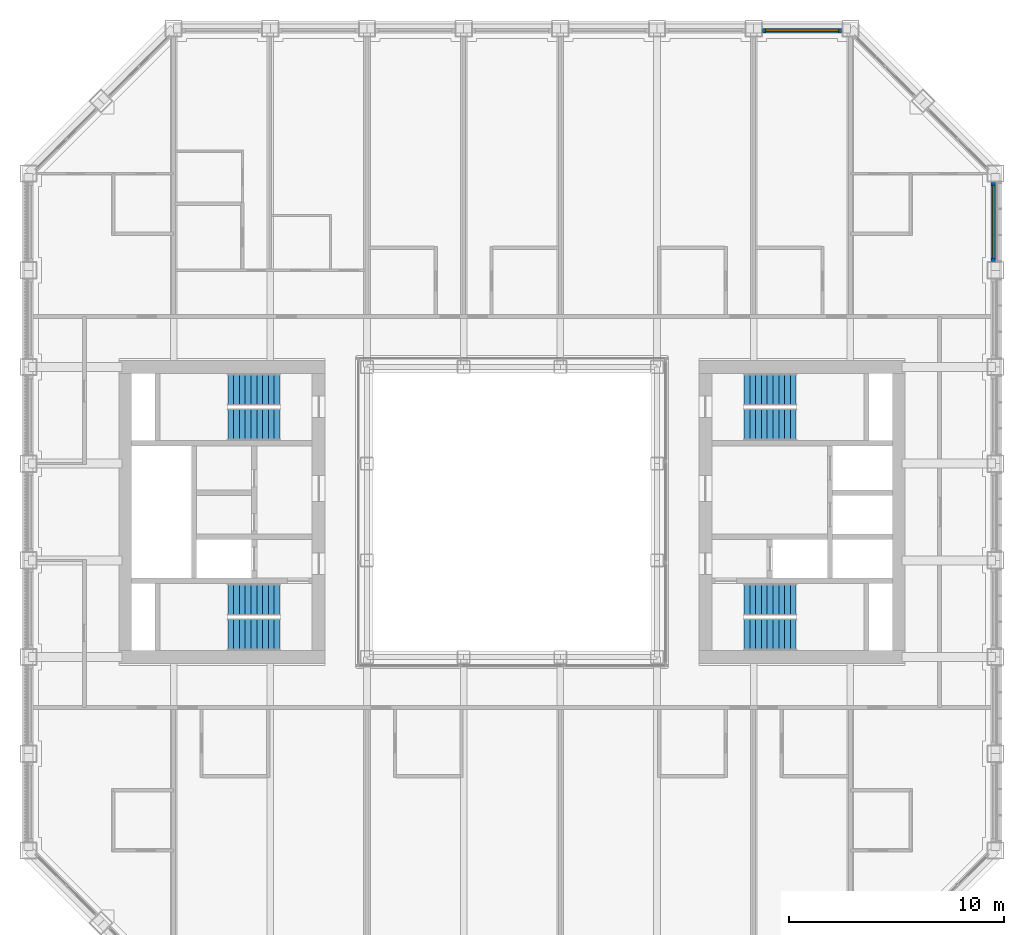
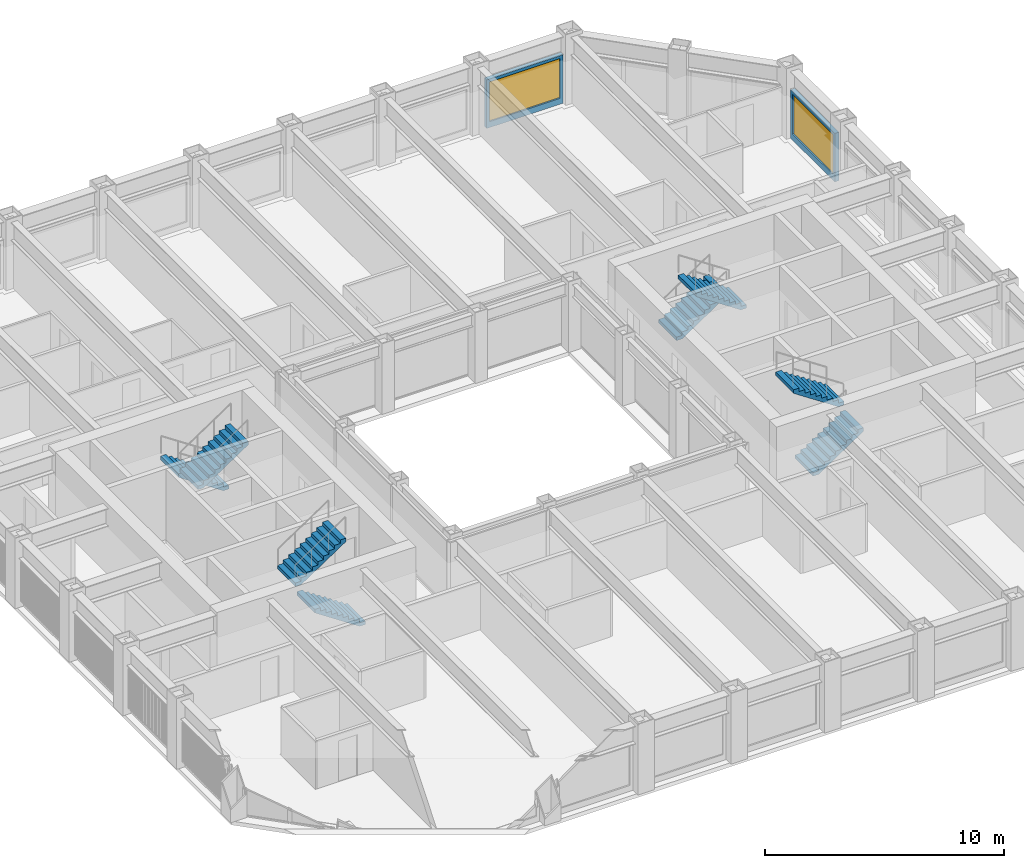
# One storey, part 14 of 17: 8 stair flights, 2 walls, 2 windows, 2 openings, 4 elements without a shape of their own.
"""IFC4 building model written with IfcOpenShell, lengths in metres."""

from ifc_helpers import new_model, si_unit, direction, frame, frame_2d, origin, place, context, subcontext, project, spatial, polyline, rectangle, outline, extrude, material, layer, layer_set, type_object, element, fill, aggregate, save


model = new_model("IFC4")

# Units and contexts
model_context = context("Model", 3, precision=1e-05, world=origin(), true_north=direction((0.0, 1.0)))
body_context = subcontext(model_context, "Body", "Model", "MODEL_VIEW")
ifc_project = project(units=[si_unit("LENGTHUNIT", "METRE"), si_unit("AREAUNIT", "SQUARE_METRE"), si_unit("VOLUMEUNIT", "CUBIC_METRE"), si_unit("PLANEANGLEUNIT", "RADIAN"), si_unit("MASSUNIT", "GRAM", prefix="KILO")], contexts=[model_context])

# Site, building, storey
site_placement = place(None, origin())
site = spatial("IfcSite", under=ifc_project, at=site_placement, CompositionType="ELEMENT")
building_placement = place(site_placement, origin())
building = spatial("IfcBuilding", under=site, at=building_placement, Name="Msasa Ring Tower", CompositionType="ELEMENT")
storey_placement = place(building_placement, frame((0.0, 0.0, 176.0)))
storey = spatial("IfcBuildingStorey", under=building, at=storey_placement, Name="L46", CompositionType="ELEMENT", Elevation=176.0)

# Wall, opening, window
ifc_material_1 = material(Name="Terracotta rainscreen on blockwork", Category="masonry")
ifc_layer = layer(ifc_material_1, 0.199951171875)
ifc_layer_set = layer_set([ifc_layer], Name="FW1 TERRACOTTA-LINED INFILL BAY WALL 200")
wall_type = type_object("IfcWallType", Name="FW1 TERRACOTTA-LINED INFILL BAY WALL 200", PredefinedType="SOLIDWALL", material=ifc_layer_set)
wall_1_placement = place(storey_placement, frame((22.39990234375, 11.655029296875, 0.0), z_axis=(0.0, 0.0, 1.0), x_axis=(0.0, 1.0, 0.0)))
wall_1 = element("IfcWall", 1, at=wall_1_placement, inside=storey, type_object=wall_type, Name="Infill bay wall E L46 15", PredefinedType="SOLIDWALL", context=body_context, shape_type="SweptSolid", body=[
    extrude(rectangle(XDim=3.68994140625, YDim=0.199951171875, at=frame_2d((1.844970703125, 0.0))), origin(), (0.0, 0.0, 1.0), 2.47900390625),
])
opening_1_placement = place(wall_1_placement, frame((0.14501953125, 0.0, 0.300048828125)))
opening_1 = element("IfcOpeningElement", 2, at=opening_1_placement, cuts=wall_1, Name="Opening WN2", PredefinedType="OPENING", context=body_context, shape_type="SweptSolid", body=[
    extrude(rectangle(XDim=3.39990234375, YDim=2.029052734375, at=frame_2d((1.699951171875, 1.0146484375))), frame((0.0, 0.10986328125, 0.0), z_axis=(0.0, -1.0, 0.0), x_axis=(1.0, 0.0, 0.0)), (0.0, 0.0, 1.0), 0.219970703125),
])
ifc_material_2 = material(Name="Aluminium frame with clear glass", Category="aluminium")
window_type = type_object("IfcWindowType", Name="WN2 GUEST ROOM WINDOW 3400x2029", PartitioningType="SINGLE_PANEL", PredefinedType="WINDOW", material=ifc_material_2)
window_1_placement = place(opening_1_placement, origin())
window_1 = element("IfcWindow", 3, at=window_1_placement, inside=storey, type_object=window_type, Name="Window E L46 15", OverallHeight=2.029052734375, OverallWidth=3.39990234375, PartitioningType="SINGLE_PANEL", PredefinedType="WINDOW", context=body_context, shape_type="SweptSolid", body=[
    extrude(rectangle(XDim=3.39990234375, YDim=2.029052734375, at=frame_2d((1.699951171875, 1.0146484375))), frame((0.0, 0.030029296875, 0.0), z_axis=(0.0, -1.0, 0.0), x_axis=(1.0, 0.0, 0.0)), (0.0, 0.0, 1.0), 0.06005859375),
])
fill(opening_1, window_1)

wall_2_placement = place(storey_placement, frame((11.655029296875, 22.39990234375, 0.0), z_axis=(0.0, 0.0, 1.0), x_axis=(1.0, 0.0, 0.0)))
wall_2 = element("IfcWall", 4, at=wall_2_placement, inside=storey, type_object=wall_type, Name="Infill bay wall N L46 24", PredefinedType="SOLIDWALL", context=body_context, shape_type="SweptSolid", body=[
    extrude(rectangle(XDim=3.68994140625, YDim=0.199951171875, at=frame_2d((1.844970703125, 0.0))), origin(), (0.0, 0.0, 1.0), 2.47900390625),
])
opening_2_placement = place(wall_2_placement, frame((0.14501953125, 0.0, 0.300048828125)))
opening_2 = element("IfcOpeningElement", 5, at=opening_2_placement, cuts=wall_2, Name="Opening WN2", PredefinedType="OPENING", context=body_context, shape_type="SweptSolid", body=[
    extrude(rectangle(XDim=3.39990234375, YDim=2.029052734375, at=frame_2d((1.699951171875, 1.0146484375))), frame((0.0, 0.10986328125, 0.0), z_axis=(0.0, -1.0, 0.0), x_axis=(1.0, 0.0, 0.0)), (0.0, 0.0, 1.0), 0.219970703125),
])
window_2_placement = place(opening_2_placement, origin())
window_2 = element("IfcWindow", 6, at=window_2_placement, inside=storey, type_object=window_type, Name="Window N L46 24", OverallHeight=2.029052734375, OverallWidth=3.39990234375, PartitioningType="SINGLE_PANEL", PredefinedType="WINDOW", context=body_context, shape_type="SweptSolid", body=[
    extrude(rectangle(XDim=3.39990234375, YDim=2.029052734375, at=frame_2d((1.699951171875, 1.0146484375))), frame((0.0, 0.030029296875, 0.0), z_axis=(0.0, -1.0, 0.0), x_axis=(1.0, 0.0, 0.0)), (0.0, 0.0, 1.0), 0.06005859375),
])
fill(opening_2, window_2)

# Stair, stair flights
ifc_material_3 = material(Name="Concrete C40/50", Category="concrete")
stair_type = type_object("IfcStairType", Name="STC CORE STAIR 20 RISERS 180", PredefinedType="HALF_TURN_STAIR", material=ifc_material_3)
stair_1_placement = place(storey_placement, origin())
stair_1 = element("IfcStair", 7, at=stair_1_placement, inside=storey, type_object=stair_type, Name="Core stair SEA L46", PredefinedType="HALF_TURN_STAIR")
ifc_material_4 = material(Name="Concrete C40/50", Category="concrete")
stair_flight_type = type_object("IfcStairFlightType", Name="ST14 CORE STAIR FLIGHT 1500 10 RISERS 180", PredefinedType="STRAIGHT", material=ifc_material_4)
stair_flight_1_placement = place(storey_placement, frame((10.800048828125, -5.699951171875, 0.0), z_axis=(0.0, 0.0, 1.0), x_axis=(1.0, 0.0, 0.0)))
stair_flight_1 = element("IfcStairFlight", 8, at=stair_flight_1_placement, type_object=stair_flight_type, Name="SEA flight 1", NumberOfRisers=10, NumberOfTreads=9, PredefinedType="STRAIGHT", RiserHeight=0.18, TreadLength=0.27, context=body_context, shape_type="SweptSolid", body=[
    extrude(outline(polyline([(0.0, 0.0), (0.0, 0.179931640625), (0.27001953125, 0.179931640625), (0.27001953125, 0.360107421875), (0.5400390625, 0.360107421875), (0.5400390625, 0.5400390625), (0.81005859375, 0.5400390625), (0.81005859375, 0.719970703125), (1.080078125, 0.719970703125), (1.080078125, 0.89990234375), (1.35009765625, 0.89990234375), (1.35009765625, 1.080078125), (1.6201171875, 1.080078125), (1.6201171875, 1.260009765625), (1.889892578125, 1.260009765625), (1.889892578125, 1.43994140625), (2.159912109375, 1.43994140625), (2.159912109375, 1.6201171875), (2.429931640625, 1.6201171875), (2.429931640625, 1.800048828125), (2.429931640625, 1.43994140625), (0.270263671875, 0.0), (0.0, 0.0)])), frame((0.0, 0.75, 0.0), z_axis=(0.0, -1.0, 0.0), x_axis=(1.0, 0.0, 0.0)), (0.0, 0.0, 1.0), 1.5),
])
stair_flight_2_placement = place(storey_placement, frame((13.22998046875, -4.074951171875, 1.800048828125), z_axis=(0.0, 0.0, 1.0), x_axis=(-1.0, 0.0, 0.0)))
stair_flight_2 = element("IfcStairFlight", 9, at=stair_flight_2_placement, type_object=stair_flight_type, Name="SEA flight 2", NumberOfRisers=10, NumberOfTreads=9, PredefinedType="STRAIGHT", RiserHeight=0.18, TreadLength=0.27, context=body_context, shape_type="SweptSolid", body=[
    extrude(outline(polyline([(0.0, 0.0), (0.0, 0.179931640625), (0.27001953125, 0.179931640625), (0.27001953125, 0.360107421875), (0.5400390625, 0.360107421875), (0.5400390625, 0.5400390625), (0.81005859375, 0.5400390625), (0.81005859375, 0.719970703125), (1.080078125, 0.719970703125), (1.080078125, 0.89990234375), (1.35009765625, 0.89990234375), (1.35009765625, 1.080078125), (1.6201171875, 1.080078125), (1.6201171875, 1.260009765625), (1.889892578125, 1.260009765625), (1.889892578125, 1.43994140625), (2.159912109375, 1.43994140625), (2.159912109375, 1.6201171875), (2.429931640625, 1.6201171875), (2.429931640625, 1.800048828125), (2.429931640625, 1.43994140625), (0.270263671875, 0.0), (0.0, 0.0)])), frame((0.0, 0.75, 0.0), z_axis=(0.0, -1.0, 0.0), x_axis=(1.0, 0.0, 0.0)), (0.0, 0.0, 1.0), 1.5),
])
aggregate(stair_1, [stair_flight_1, stair_flight_2])

stair_2_placement = place(storey_placement, origin())
stair_2 = element("IfcStair", 10, at=stair_2_placement, inside=storey, type_object=stair_type, Name="Core stair SEB L46", PredefinedType="HALF_TURN_STAIR")
stair_flight_3_placement = place(storey_placement, frame((10.800048828125, 5.699951171875, 0.0), z_axis=(0.0, 0.0, 1.0), x_axis=(1.0, 0.0, 0.0)))
stair_flight_3 = element("IfcStairFlight", 11, at=stair_flight_3_placement, type_object=stair_flight_type, Name="SEB flight 1", NumberOfRisers=10, NumberOfTreads=9, PredefinedType="STRAIGHT", RiserHeight=0.18, TreadLength=0.27, context=body_context, shape_type="SweptSolid", body=[
    extrude(outline(polyline([(0.0, 0.0), (0.0, 0.179931640625), (0.27001953125, 0.179931640625), (0.27001953125, 0.360107421875), (0.5400390625, 0.360107421875), (0.5400390625, 0.5400390625), (0.81005859375, 0.5400390625), (0.81005859375, 0.719970703125), (1.080078125, 0.719970703125), (1.080078125, 0.89990234375), (1.35009765625, 0.89990234375), (1.35009765625, 1.080078125), (1.6201171875, 1.080078125), (1.6201171875, 1.260009765625), (1.889892578125, 1.260009765625), (1.889892578125, 1.43994140625), (2.159912109375, 1.43994140625), (2.159912109375, 1.6201171875), (2.429931640625, 1.6201171875), (2.429931640625, 1.800048828125), (2.429931640625, 1.43994140625), (0.270263671875, 0.0), (0.0, 0.0)])), frame((0.0, 0.75, 0.0), z_axis=(0.0, -1.0, 0.0), x_axis=(1.0, 0.0, 0.0)), (0.0, 0.0, 1.0), 1.5),
])
stair_flight_4_placement = place(storey_placement, frame((13.22998046875, 4.074951171875, 1.800048828125), z_axis=(0.0, 0.0, 1.0), x_axis=(-1.0, 0.0, 0.0)))
stair_flight_4 = element("IfcStairFlight", 12, at=stair_flight_4_placement, type_object=stair_flight_type, Name="SEB flight 2", NumberOfRisers=10, NumberOfTreads=9, PredefinedType="STRAIGHT", RiserHeight=0.18, TreadLength=0.27, context=body_context, shape_type="SweptSolid", body=[
    extrude(outline(polyline([(0.0, 0.0), (0.0, 0.179931640625), (0.27001953125, 0.179931640625), (0.27001953125, 0.360107421875), (0.5400390625, 0.360107421875), (0.5400390625, 0.5400390625), (0.81005859375, 0.5400390625), (0.81005859375, 0.719970703125), (1.080078125, 0.719970703125), (1.080078125, 0.89990234375), (1.35009765625, 0.89990234375), (1.35009765625, 1.080078125), (1.6201171875, 1.080078125), (1.6201171875, 1.260009765625), (1.889892578125, 1.260009765625), (1.889892578125, 1.43994140625), (2.159912109375, 1.43994140625), (2.159912109375, 1.6201171875), (2.429931640625, 1.6201171875), (2.429931640625, 1.800048828125), (2.429931640625, 1.43994140625), (0.270263671875, 0.0), (0.0, 0.0)])), frame((0.0, 0.75, 0.0), z_axis=(0.0, -1.0, 0.0), x_axis=(1.0, 0.0, 0.0)), (0.0, 0.0, 1.0), 1.5),
])
aggregate(stair_2, [stair_flight_3, stair_flight_4])

stair_3_placement = place(storey_placement, origin())
stair_3 = element("IfcStair", 13, at=stair_3_placement, inside=storey, type_object=stair_type, Name="Core stair SWA L46", PredefinedType="HALF_TURN_STAIR")
stair_flight_5_placement = place(storey_placement, frame((-10.800048828125, -5.699951171875, 0.0), z_axis=(0.0, 0.0, 1.0), x_axis=(-1.0, 0.0, 0.0)))
stair_flight_5 = element("IfcStairFlight", 14, at=stair_flight_5_placement, type_object=stair_flight_type, Name="SWA flight 1", NumberOfRisers=10, NumberOfTreads=9, PredefinedType="STRAIGHT", RiserHeight=0.18, TreadLength=0.27, context=body_context, shape_type="SweptSolid", body=[
    extrude(outline(polyline([(0.0, 0.0), (0.0, 0.179931640625), (0.27001953125, 0.179931640625), (0.27001953125, 0.360107421875), (0.5400390625, 0.360107421875), (0.5400390625, 0.5400390625), (0.81005859375, 0.5400390625), (0.81005859375, 0.719970703125), (1.080078125, 0.719970703125), (1.080078125, 0.89990234375), (1.35009765625, 0.89990234375), (1.35009765625, 1.080078125), (1.6201171875, 1.080078125), (1.6201171875, 1.260009765625), (1.889892578125, 1.260009765625), (1.889892578125, 1.43994140625), (2.159912109375, 1.43994140625), (2.159912109375, 1.6201171875), (2.429931640625, 1.6201171875), (2.429931640625, 1.800048828125), (2.429931640625, 1.43994140625), (0.270263671875, 0.0), (0.0, 0.0)])), frame((0.0, 0.75, 0.0), z_axis=(0.0, -1.0, 0.0), x_axis=(1.0, 0.0, 0.0)), (0.0, 0.0, 1.0), 1.5),
])
stair_flight_6_placement = place(storey_placement, frame((-13.22998046875, -4.074951171875, 1.800048828125), z_axis=(0.0, 0.0, 1.0), x_axis=(1.0, 0.0, 0.0)))
stair_flight_6 = element("IfcStairFlight", 15, at=stair_flight_6_placement, type_object=stair_flight_type, Name="SWA flight 2", NumberOfRisers=10, NumberOfTreads=9, PredefinedType="STRAIGHT", RiserHeight=0.18, TreadLength=0.27, context=body_context, shape_type="SweptSolid", body=[
    extrude(outline(polyline([(0.0, 0.0), (0.0, 0.179931640625), (0.27001953125, 0.179931640625), (0.27001953125, 0.360107421875), (0.5400390625, 0.360107421875), (0.5400390625, 0.5400390625), (0.81005859375, 0.5400390625), (0.81005859375, 0.719970703125), (1.080078125, 0.719970703125), (1.080078125, 0.89990234375), (1.35009765625, 0.89990234375), (1.35009765625, 1.080078125), (1.6201171875, 1.080078125), (1.6201171875, 1.260009765625), (1.889892578125, 1.260009765625), (1.889892578125, 1.43994140625), (2.159912109375, 1.43994140625), (2.159912109375, 1.6201171875), (2.429931640625, 1.6201171875), (2.429931640625, 1.800048828125), (2.429931640625, 1.43994140625), (0.270263671875, 0.0), (0.0, 0.0)])), frame((0.0, 0.75, 0.0), z_axis=(0.0, -1.0, 0.0), x_axis=(1.0, 0.0, 0.0)), (0.0, 0.0, 1.0), 1.5),
])
aggregate(stair_3, [stair_flight_5, stair_flight_6])

stair_4_placement = place(storey_placement, origin())
stair_4 = element("IfcStair", 16, at=stair_4_placement, inside=storey, type_object=stair_type, Name="Core stair SWB L46", PredefinedType="HALF_TURN_STAIR")
stair_flight_7_placement = place(storey_placement, frame((-10.800048828125, 5.699951171875, 0.0), z_axis=(0.0, 0.0, 1.0), x_axis=(-1.0, 0.0, 0.0)))
stair_flight_7 = element("IfcStairFlight", 17, at=stair_flight_7_placement, type_object=stair_flight_type, Name="SWB flight 1", NumberOfRisers=10, NumberOfTreads=9, PredefinedType="STRAIGHT", RiserHeight=0.18, TreadLength=0.27, context=body_context, shape_type="SweptSolid", body=[
    extrude(outline(polyline([(0.0, 0.0), (0.0, 0.179931640625), (0.27001953125, 0.179931640625), (0.27001953125, 0.360107421875), (0.5400390625, 0.360107421875), (0.5400390625, 0.5400390625), (0.81005859375, 0.5400390625), (0.81005859375, 0.719970703125), (1.080078125, 0.719970703125), (1.080078125, 0.89990234375), (1.35009765625, 0.89990234375), (1.35009765625, 1.080078125), (1.6201171875, 1.080078125), (1.6201171875, 1.260009765625), (1.889892578125, 1.260009765625), (1.889892578125, 1.43994140625), (2.159912109375, 1.43994140625), (2.159912109375, 1.6201171875), (2.429931640625, 1.6201171875), (2.429931640625, 1.800048828125), (2.429931640625, 1.43994140625), (0.270263671875, 0.0), (0.0, 0.0)])), frame((0.0, 0.75, 0.0), z_axis=(0.0, -1.0, 0.0), x_axis=(1.0, 0.0, 0.0)), (0.0, 0.0, 1.0), 1.5),
])
stair_flight_8_placement = place(storey_placement, frame((-13.22998046875, 4.074951171875, 1.800048828125), z_axis=(0.0, 0.0, 1.0), x_axis=(1.0, 0.0, 0.0)))
stair_flight_8 = element("IfcStairFlight", 18, at=stair_flight_8_placement, type_object=stair_flight_type, Name="SWB flight 2", NumberOfRisers=10, NumberOfTreads=9, PredefinedType="STRAIGHT", RiserHeight=0.18, TreadLength=0.27, context=body_context, shape_type="SweptSolid", body=[
    extrude(outline(polyline([(0.0, 0.0), (0.0, 0.179931640625), (0.27001953125, 0.179931640625), (0.27001953125, 0.360107421875), (0.5400390625, 0.360107421875), (0.5400390625, 0.5400390625), (0.81005859375, 0.5400390625), (0.81005859375, 0.719970703125), (1.080078125, 0.719970703125), (1.080078125, 0.89990234375), (1.35009765625, 0.89990234375), (1.35009765625, 1.080078125), (1.6201171875, 1.080078125), (1.6201171875, 1.260009765625), (1.889892578125, 1.260009765625), (1.889892578125, 1.43994140625), (2.159912109375, 1.43994140625), (2.159912109375, 1.6201171875), (2.429931640625, 1.6201171875), (2.429931640625, 1.800048828125), (2.429931640625, 1.43994140625), (0.270263671875, 0.0), (0.0, 0.0)])), frame((0.0, 0.75, 0.0), z_axis=(0.0, -1.0, 0.0), x_axis=(1.0, 0.0, 0.0)), (0.0, 0.0, 1.0), 1.5),
])
aggregate(stair_4, [stair_flight_7, stair_flight_8])

save(model, "model.ifc")
